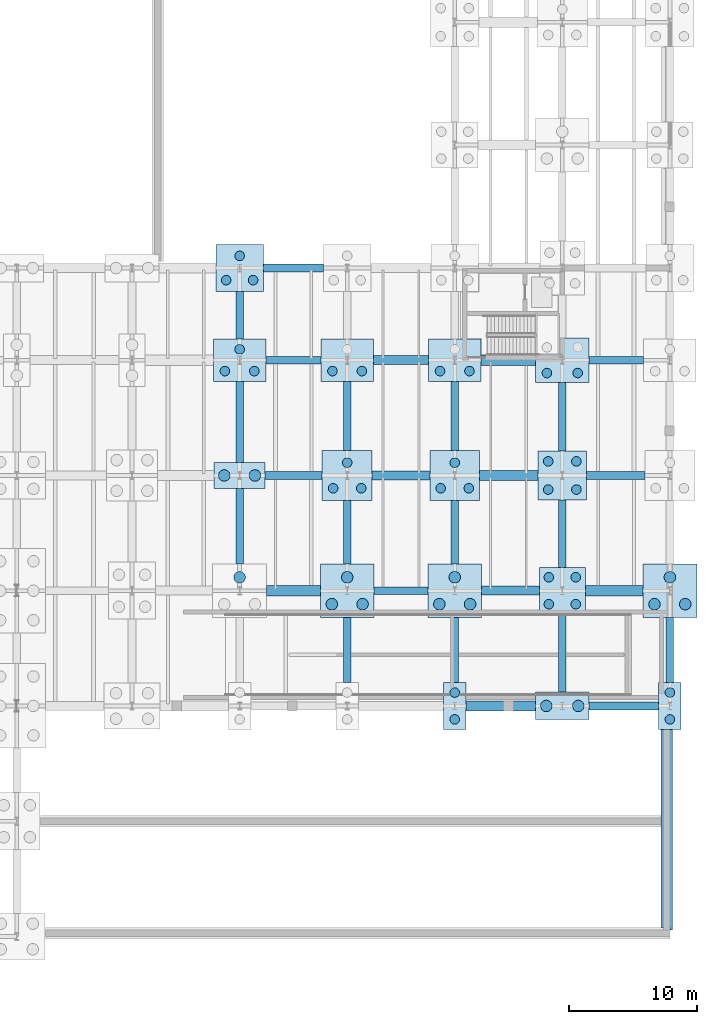
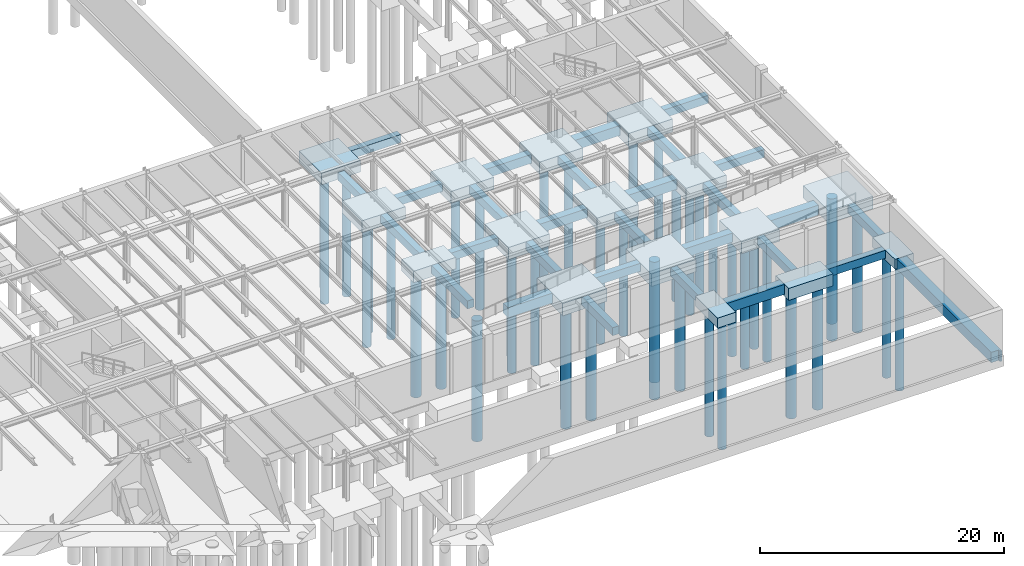
# One storey, part 10 of 59: 45 footings, 44 piles.
"""IFC4 building model written with IfcOpenShell, lengths in metres."""

from ifc_helpers import new_model, si_unit, direction, frame, origin, origin_2d, place, context, subcontext, project, spatial, polyline, rectangle, circle, outline, extrude, material, material_profile, profile_set, type_object, element, save


model = new_model("IFC4")

# Units and contexts
model_context = context("Model", 3, precision=1e-05, world=origin(), true_north=direction((0.0, 1.0)))
body_context = subcontext(model_context, "Body", "Model", "MODEL_VIEW")
ifc_project = project(units=[si_unit("LENGTHUNIT", "METRE"), si_unit("AREAUNIT", "SQUARE_METRE"), si_unit("VOLUMEUNIT", "CUBIC_METRE"), si_unit("PLANEANGLEUNIT", "RADIAN"), si_unit("MASSUNIT", "GRAM", prefix="KILO")], contexts=[model_context])

# Site, building, storey
site_placement = place(None, origin())
site = spatial("IfcSite", under=ifc_project, at=site_placement, CompositionType="ELEMENT")
building_placement = place(site_placement, origin())
building = spatial("IfcBuilding", under=site, at=building_placement, Name="Montealbar Specialist Clinic", CompositionType="ELEMENT")
storey_placement = place(building_placement, frame((0.0, 0.0, -4.800048828125)))
storey = spatial("IfcBuildingStorey", under=building, at=storey_placement, Name="B01", CompositionType="ELEMENT", Elevation=-4.800048828125)

# Footings
ifc_material = material(Name="Concrete C35/45", Category="concrete")
footing_type_1 = type_object("IfcFootingType", Name="FB-TIE-600x800", PredefinedType="FOOTING_BEAM", material=ifc_material)
footing_1_placement = place(storey_placement, frame((0.0, 0.0, -0.800048828125)))
element("IfcFooting", 1, at=footing_1_placement, inside=storey, type_object=footing_type_1, Name="Foundation Ground Beam FBX-1557-1611-180", PredefinedType="FOOTING_BEAM", context=body_context, shape_type="SweptSolid", body=[
    extrude(outline(polyline([(155.699951171875, 17.699951171875), (161.125, 17.699951171875), (161.125, 18.300048828125), (155.699951171875, 18.300048828125), (155.699951171875, 17.699951171875)])), origin(), (0.0, 0.0, 1.0), 0.800048828125),
])
footing_2_placement = place(storey_placement, frame((0.0, 0.0, -1.25)))
element("IfcFooting", 2, at=footing_2_placement, inside=storey, type_object=footing_type_1, Name="Foundation Ground Beam FBX-1389-1431-270", PredefinedType="FOOTING_BEAM", context=body_context, shape_type="SweptSolid", body=[
    extrude(outline(polyline([(138.89990234375, 26.699951171875), (143.10009765625, 26.699951171875), (143.10009765625, 27.300048828125), (138.89990234375, 27.300048828125), (138.89990234375, 26.699951171875)])), origin(), (0.0, 0.0, 1.0), 0.800048828125),
])
footing_3_placement = place(storey_placement, frame((0.0, 0.0, -1.25)))
element("IfcFooting", 3, at=footing_3_placement, inside=storey, type_object=footing_type_1, Name="Foundation Ground Beam FBX-1304-1348-360", PredefinedType="FOOTING_BEAM", context=body_context, shape_type="SweptSolid", body=[
    extrude(outline(polyline([(130.39990234375, 35.699951171875), (134.85009765625, 35.699951171875), (134.85009765625, 36.300048828125), (130.39990234375, 36.300048828125), (130.39990234375, 35.699951171875)])), origin(), (0.0, 0.0, 1.0), 0.800048828125),
])
footing_4_placement = place(storey_placement, frame((0.0, 0.0, -1.25)))
element("IfcFooting", 4, at=footing_4_placement, inside=storey, type_object=footing_type_1, Name="Foundation Ground Beam FBX-1555-1600-360", PredefinedType="FOOTING_BEAM", context=body_context, shape_type="SweptSolid", body=[
    extrude(outline(polyline([(155.5, 35.699951171875), (160.050048828125, 35.699951171875), (160.050048828125, 36.300048828125), (155.5, 36.300048828125), (155.5, 35.699951171875)])), origin(), (0.0, 0.0, 1.0), 0.800048828125),
])
footing_5_placement = place(storey_placement, frame((0.0, 0.0, -1.25)))
element("IfcFooting", 5, at=footing_5_placement, inside=storey, type_object=footing_type_1, Name="Foundation Ground Beam FBX-1304-1348-450", PredefinedType="FOOTING_BEAM", context=body_context, shape_type="SweptSolid", body=[
    extrude(outline(polyline([(130.449951171875, 44.699951171875), (134.75, 44.699951171875), (134.75, 45.300048828125), (130.449951171875, 45.300048828125), (130.449951171875, 44.699951171875)])), origin(), (0.0, 0.0, 1.0), 0.800048828125),
])
footing_6_placement = place(storey_placement, frame((0.0, 0.0, -1.25)))
element("IfcFooting", 6, at=footing_6_placement, inside=storey, type_object=footing_type_1, Name="Foundation Ground Beam FBX-1557-1600-450", PredefinedType="FOOTING_BEAM", context=body_context, shape_type="SweptSolid", body=[
    extrude(outline(polyline([(155.699951171875, 44.699951171875), (159.949951171875, 44.699951171875), (159.949951171875, 45.300048828125), (155.699951171875, 45.300048828125), (155.699951171875, 44.699951171875)])), origin(), (0.0, 0.0, 1.0), 0.800048828125),
])
footing_7_placement = place(storey_placement, frame((0.0, 0.0, -0.800048828125)))
element("IfcFooting", 7, at=footing_7_placement, inside=storey, type_object=footing_type_1, Name="Foundation Ground Beam FBX-1302-1350-522", PredefinedType="FOOTING_BEAM", context=body_context, shape_type="SweptSolid", body=[
    extrude(outline(polyline([(130.25, 51.89990234375), (134.949951171875, 51.89990234375), (134.949951171875, 52.5), (130.25, 52.5), (130.25, 51.89990234375)])), origin(), (0.0, 0.0, 1.0), 0.800048828125),
])
footing_8_placement = place(storey_placement, frame((0.0, 0.0, -1.25)))
element("IfcFooting", 8, at=footing_8_placement, inside=storey, type_object=footing_type_1, Name="Foundation Tie Beam FBY-1284-291-350", PredefinedType="FOOTING_BEAM", context=body_context, shape_type="SweptSolid", body=[
    extrude(outline(polyline([(128.10009765625, 29.10009765625), (128.699951171875, 29.10009765625), (128.699951171875, 35.0), (128.10009765625, 35.0), (128.10009765625, 29.10009765625)])), origin(), (0.0, 0.0, 1.0), 0.800048828125),
])
footing_9_placement = place(storey_placement, frame((0.0, 0.0, -1.25)))
element("IfcFooting", 9, at=footing_9_placement, inside=storey, type_object=footing_type_1, Name="Foundation Tie Beam FBY-1284-370-434", PredefinedType="FOOTING_BEAM", context=body_context, shape_type="SweptSolid", body=[
    extrude(outline(polyline([(128.10009765625, 37.0), (128.699951171875, 37.0), (128.699951171875, 43.35009765625), (128.10009765625, 43.35009765625), (128.10009765625, 37.0)])), origin(), (0.0, 0.0, 1.0), 0.800048828125),
])
footing_10_placement = place(storey_placement, frame((0.0, 0.0, -1.25)))
element("IfcFooting", 10, at=footing_10_placement, inside=storey, type_object=footing_type_1, Name="Foundation Tie Beam FBY-1284-466-504", PredefinedType="FOOTING_BEAM", context=body_context, shape_type="SweptSolid", body=[
    extrude(outline(polyline([(128.10009765625, 46.64990234375), (128.699951171875, 46.64990234375), (128.699951171875, 50.35009765625), (128.10009765625, 50.35009765625), (128.10009765625, 46.64990234375)])), origin(), (0.0, 0.0, 1.0), 0.800048828125),
])
footing_11_placement = place(storey_placement, frame((0.0, 0.0, -1.25)))
element("IfcFooting", 11, at=footing_11_placement, inside=storey, type_object=footing_type_1, Name="Foundation Tie Beam FBY-1368-198-249", PredefinedType="FOOTING_BEAM", context=body_context, shape_type="SweptSolid", body=[
    extrude(outline(polyline([(136.5, 19.824951171875), (137.10009765625, 19.824951171875), (137.10009765625, 24.89990234375), (136.5, 24.89990234375), (136.5, 19.824951171875)])), origin(), (0.0, 0.0, 1.0), 0.800048828125),
])
footing_12_placement = place(storey_placement, frame((0.0, 0.0, -1.25)))
element("IfcFooting", 12, at=footing_12_placement, inside=storey, type_object=footing_type_1, Name="Foundation Tie Beam FBY-1368-291-340", PredefinedType="FOOTING_BEAM", context=body_context, shape_type="SweptSolid", body=[
    extrude(outline(polyline([(136.5, 29.10009765625), (137.10009765625, 29.10009765625), (137.10009765625, 34.050048828125), (136.5, 34.050048828125), (136.5, 29.10009765625)])), origin(), (0.0, 0.0, 1.0), 0.800048828125),
])
footing_13_placement = place(storey_placement, frame((0.0, 0.0, -1.25)))
element("IfcFooting", 13, at=footing_13_placement, inside=storey, type_object=footing_type_1, Name="Foundation Tie Beam FBY-1368-380-434", PredefinedType="FOOTING_BEAM", context=body_context, shape_type="SweptSolid", body=[
    extrude(outline(polyline([(136.5, 37.949951171875), (137.10009765625, 37.949951171875), (137.10009765625, 43.35009765625), (136.5, 43.35009765625), (136.5, 37.949951171875)])), origin(), (0.0, 0.0, 1.0), 0.800048828125),
])
footing_14_placement = place(storey_placement, frame((0.0, 0.0, -1.25)))
element("IfcFooting", 14, at=footing_14_placement, inside=storey, type_object=footing_type_1, Name="Foundation Tie Beam FBY-1452-198-249", PredefinedType="FOOTING_BEAM", context=body_context, shape_type="SweptSolid", body=[
    extrude(outline(polyline([(144.89990234375, 19.824951171875), (145.5, 19.824951171875), (145.5, 24.89990234375), (144.89990234375, 24.89990234375), (144.89990234375, 19.824951171875)])), origin(), (0.0, 0.0, 1.0), 0.800048828125),
])
footing_15_placement = place(storey_placement, frame((0.0, 0.0, -1.25)))
element("IfcFooting", 15, at=footing_15_placement, inside=storey, type_object=footing_type_1, Name="Foundation Tie Beam FBY-1452-291-340", PredefinedType="FOOTING_BEAM", context=body_context, shape_type="SweptSolid", body=[
    extrude(outline(polyline([(144.89990234375, 29.10009765625), (145.5, 29.10009765625), (145.5, 34.050048828125), (144.89990234375, 34.050048828125), (144.89990234375, 29.10009765625)])), origin(), (0.0, 0.0, 1.0), 0.800048828125),
])
footing_16_placement = place(storey_placement, frame((0.0, 0.0, -1.25)))
element("IfcFooting", 16, at=footing_16_placement, inside=storey, type_object=footing_type_1, Name="Foundation Tie Beam FBY-1452-380-434", PredefinedType="FOOTING_BEAM", context=body_context, shape_type="SweptSolid", body=[
    extrude(outline(polyline([(144.89990234375, 37.949951171875), (145.5, 37.949951171875), (145.5, 43.35009765625), (144.89990234375, 43.35009765625), (144.89990234375, 37.949951171875)])), origin(), (0.0, 0.0, 1.0), 0.800048828125),
])
footing_17_placement = place(storey_placement, frame((0.0, 0.0, -1.25)))
element("IfcFooting", 17, at=footing_17_placement, inside=storey, type_object=footing_type_1, Name="Foundation Tie Beam FBY-1536-191-252", PredefinedType="FOOTING_BEAM", context=body_context, shape_type="SweptSolid", body=[
    extrude(outline(polyline([(153.300048828125, 19.074951171875), (153.89990234375, 19.074951171875), (153.89990234375, 25.199951171875), (153.300048828125, 25.199951171875), (153.300048828125, 19.074951171875)])), origin(), (0.0, 0.0, 1.0), 0.800048828125),
])
footing_18_placement = place(storey_placement, frame((0.0, 0.0, -1.25)))
element("IfcFooting", 18, at=footing_18_placement, inside=storey, type_object=footing_type_1, Name="Foundation Tie Beam FBY-1536-288-341", PredefinedType="FOOTING_BEAM", context=body_context, shape_type="SweptSolid", body=[
    extrude(outline(polyline([(153.300048828125, 28.800048828125), (153.89990234375, 28.800048828125), (153.89990234375, 34.10009765625), (153.300048828125, 34.10009765625), (153.300048828125, 28.800048828125)])), origin(), (0.0, 0.0, 1.0), 0.800048828125),
])
footing_19_placement = place(storey_placement, frame((0.0, 0.0, -1.25)))
element("IfcFooting", 19, at=footing_19_placement, inside=storey, type_object=footing_type_1, Name="Foundation Tie Beam FBY-1536-379-432", PredefinedType="FOOTING_BEAM", context=body_context, shape_type="SweptSolid", body=[
    extrude(outline(polyline([(153.300048828125, 37.89990234375), (153.89990234375, 37.89990234375), (153.89990234375, 43.25), (153.300048828125, 43.25), (153.300048828125, 37.89990234375)])), origin(), (0.0, 0.0, 1.0), 0.800048828125),
])
footing_20_placement = place(storey_placement, frame((0.0, 0.0, -0.800048828125)))
element("IfcFooting", 20, at=footing_20_placement, inside=storey, type_object=footing_type_1, Name="Foundation Tie Beam FBY-1620-198-249", PredefinedType="FOOTING_BEAM", context=body_context, shape_type="SweptSolid", body=[
    extrude(outline(polyline([(161.699951171875, 19.824951171875), (162.300048828125, 19.824951171875), (162.300048828125, 24.89990234375), (161.699951171875, 24.89990234375), (161.699951171875, 19.824951171875)])), origin(), (0.0, 0.0, 1.0), 0.800048828125),
])
footing_type_2 = type_object("IfcFootingType", Name="FB-TIE-700x900", PredefinedType="FOOTING_BEAM", material=ifc_material)
footing_21_placement = place(storey_placement, frame((0.0, 0.0, -1.349853515625)))
element("IfcFooting", 21, at=footing_21_placement, inside=storey, type_object=footing_type_2, Name="Foundation Ground Beam FBX-1473-1518-270", PredefinedType="FOOTING_BEAM", context=body_context, shape_type="SweptSolid", body=[
    extrude(outline(polyline([(147.300048828125, 26.64990234375), (151.800048828125, 26.64990234375), (151.800048828125, 27.35009765625), (147.300048828125, 27.35009765625), (147.300048828125, 26.64990234375)])), origin(), (0.0, 0.0, 1.0), 0.89990234375),
])
footing_22_placement = place(storey_placement, frame((0.0, 0.0, -1.349853515625)))
element("IfcFooting", 22, at=footing_22_placement, inside=storey, type_object=footing_type_2, Name="Foundation Ground Beam FBX-1388-1432-360", PredefinedType="FOOTING_BEAM", context=body_context, shape_type="SweptSolid", body=[
    extrude(outline(polyline([(138.75, 35.64990234375), (143.25, 35.64990234375), (143.25, 36.35009765625), (138.75, 36.35009765625), (138.75, 35.64990234375)])), origin(), (0.0, 0.0, 1.0), 0.89990234375),
])
footing_23_placement = place(storey_placement, frame((0.0, 0.0, -1.349853515625)))
element("IfcFooting", 23, at=footing_23_placement, inside=storey, type_object=footing_type_2, Name="Foundation Ground Beam FBX-1388-1432-450", PredefinedType="FOOTING_BEAM", context=body_context, shape_type="SweptSolid", body=[
    extrude(outline(polyline([(138.85009765625, 44.64990234375), (143.14990234375, 44.64990234375), (143.14990234375, 45.35009765625), (138.85009765625, 45.35009765625), (138.85009765625, 44.64990234375)])), origin(), (0.0, 0.0, 1.0), 0.89990234375),
])
footing_type_3 = type_object("IfcFootingType", Name="FB-TIE-800x1000", PredefinedType="FOOTING_BEAM", material=ifc_material)
footing_24_placement = place(storey_placement, frame((0.0, 0.0, -1.0)))
element("IfcFooting", 24, at=footing_24_placement, inside=storey, type_object=footing_type_3, Name="Foundation Ground Beam FBX-1461-1515-180", PredefinedType="FOOTING_BEAM", context=body_context, shape_type="SweptSolid", body=[
    extrude(outline(polyline([(146.074951171875, 17.60009765625), (151.5, 17.60009765625), (151.5, 18.39990234375), (146.074951171875, 18.39990234375), (146.074951171875, 17.60009765625)])), origin(), (0.0, 0.0, 1.0), 1.0),
])
footing_25_placement = place(storey_placement, frame((0.0, 0.0, -1.449951171875)))
element("IfcFooting", 25, at=footing_25_placement, inside=storey, type_object=footing_type_3, Name="Foundation Ground Beam FBX-1305-1347-270", PredefinedType="FOOTING_BEAM", context=body_context, shape_type="SweptSolid", body=[
    extrude(outline(polyline([(130.5, 26.60009765625), (134.699951171875, 26.60009765625), (134.699951171875, 27.39990234375), (130.5, 27.39990234375), (130.5, 26.60009765625)])), origin(), (0.0, 0.0, 1.0), 1.0),
])
footing_26_placement = place(storey_placement, frame((0.0, 0.0, -1.449951171875)))
element("IfcFooting", 26, at=footing_26_placement, inside=storey, type_object=footing_type_3, Name="Foundation Ground Beam FBX-1554-1599-270", PredefinedType="FOOTING_BEAM", context=body_context, shape_type="SweptSolid", body=[
    extrude(outline(polyline([(155.39990234375, 26.60009765625), (159.89990234375, 26.60009765625), (159.89990234375, 27.39990234375), (155.39990234375, 27.39990234375), (155.39990234375, 26.60009765625)])), origin(), (0.0, 0.0, 1.0), 1.0),
])
footing_27_placement = place(storey_placement, frame((0.0, 0.0, -1.449951171875)))
element("IfcFooting", 27, at=footing_27_placement, inside=storey, type_object=footing_type_3, Name="Foundation Ground Beam FBX-1472-1517-360", PredefinedType="FOOTING_BEAM", context=body_context, shape_type="SweptSolid", body=[
    extrude(outline(polyline([(147.14990234375, 35.60009765625), (151.699951171875, 35.60009765625), (151.699951171875, 36.39990234375), (147.14990234375, 36.39990234375), (147.14990234375, 35.60009765625)])), origin(), (0.0, 0.0, 1.0), 1.0),
])
footing_28_placement = place(storey_placement, frame((0.0, 0.0, -1.449951171875)))
element("IfcFooting", 28, at=footing_28_placement, inside=storey, type_object=footing_type_3, Name="Foundation Ground Beam FBX-1472-1515-450", PredefinedType="FOOTING_BEAM", context=body_context, shape_type="SweptSolid", body=[
    extrude(outline(polyline([(147.25, 44.60009765625), (151.5, 44.60009765625), (151.5, 45.39990234375), (147.25, 45.39990234375), (147.25, 44.60009765625)])), origin(), (0.0, 0.0, 1.0), 1.0),
])
footing_type_4 = type_object("IfcFootingType", Name="FT-CORE-STRIP", PredefinedType="STRIP_FOOTING", material=ifc_material)
footing_29_placement = place(storey_placement, frame((0.0, 0.0, -1.050048828125)))
element("IfcFooting", 29, at=footing_29_placement, inside=storey, type_object=footing_type_4, Name="Strip Footing FT-PLINTH-SE-E-1", PredefinedType="STRIP_FOOTING", context=body_context, shape_type="SweptSolid", body=[
    extrude(outline(polyline([(162.0029296875, 0.7099609375), (162.001953125, 0.7099609375), (162.0009765625, 0.7099609375), (162.0, 0.7099609375), (161.300048828125, 0.7099609375), (161.300048828125, 16.14501953125), (162.199951171875, 16.14501953125), (162.199951171875, 0.5), (162.010009765625, 0.5), (162.010009765625, 0.699951171875), (162.010009765625, 0.700927734375), (162.010009765625, 0.701904296875), (162.010009765625, 0.702880859375), (162.009033203125, 0.7041015625), (162.009033203125, 0.705078125), (162.008056640625, 0.7060546875), (162.008056640625, 0.7060546875), (162.007080078125, 0.70703125), (162.006103515625, 0.7080078125), (162.006103515625, 0.7080078125), (162.0048828125, 0.708984375), (162.00390625, 0.708984375), (162.0029296875, 0.7099609375)])), origin(), (0.0, 0.0, 1.0), 1.050048828125),
])
footing_type_5 = type_object("IfcFootingType", Name="PC-2D", PredefinedType="PILE_CAP", material=ifc_material)
for number, where, z_axis, x_axis, name in (
    (30, (145.199951171875, 18.0, -1.0), (0.0, 0.0, 1.0), (1.0, 0.0, 0.0), "Pile Cap 19/C"),
    (31, (162.0, 18.0, -1.0), (0.0, 0.0, 1.0), (1.0, 0.0, 0.0), "Pile Cap 21/C"),
):
    element("IfcFooting", number, at=place(storey_placement, frame(where, z_axis=z_axis, x_axis=x_axis)), inside=storey, type_object=footing_type_5, Name=name, PredefinedType="PILE_CAP", context=body_context, shape_type="SweptSolid", body=[
        extrude(rectangle(XDim=1.75, YDim=3.64990234375, at=origin_2d()), origin(), (0.0, 0.0, 1.0), 1.0),
    ])
footing_type_6 = type_object("IfcFootingType", Name="PC-2F", PredefinedType="PILE_CAP", material=ifc_material)
footing_30_placement = place(storey_placement, frame((128.39990234375, 36.0, -1.599853515625), z_axis=(0.0, 0.0, 1.0), x_axis=(1.0, 0.0, 0.0)))
element("IfcFooting", 32, at=footing_30_placement, inside=storey, type_object=footing_type_6, Name="Pile Cap 17/E", PredefinedType="PILE_CAP", context=body_context, shape_type="SweptSolid", body=[
    extrude(rectangle(XDim=4.0, YDim=2.0, at=origin_2d()), origin(), (0.0, 0.0, 1.0), 1.14990234375),
])
footing_type_7 = type_object("IfcFootingType", Name="PC-2H", PredefinedType="PILE_CAP", material=ifc_material)
footing_31_placement = place(storey_placement, frame((153.60009765625, 18.0, -1.19970703125), z_axis=(0.0, 0.0, 1.0), x_axis=(1.0, 0.0, 0.0)))
element("IfcFooting", 33, at=footing_31_placement, inside=storey, type_object=footing_type_7, Name="Pile Cap 20/C", PredefinedType="PILE_CAP", context=body_context, shape_type="SweptSolid", body=[
    extrude(rectangle(XDim=4.199951171875, YDim=2.14990234375, at=origin_2d()), origin(), (0.0, 0.0, 1.0), 1.199951171875),
])
footing_type_8 = type_object("IfcFootingType", Name="PC-3A", PredefinedType="PILE_CAP", material=ifc_material)
footing_32_placement = place(storey_placement, frame((128.39990234375, 52.199951171875, -1.14990234375), z_axis=(0.0, 0.0, 1.0), x_axis=(1.0, 0.0, 0.0)))
element("IfcFooting", 34, at=footing_32_placement, inside=storey, type_object=footing_type_8, Name="Pile Cap 17/G", PredefinedType="PILE_CAP", context=body_context, shape_type="SweptSolid", body=[
    extrude(rectangle(XDim=3.699951171875, YDim=3.699951171875, at=origin_2d()), origin(), (0.0, 0.0, 1.0), 1.14990234375),
])
footing_type_9 = type_object("IfcFootingType", Name="PC-3B", PredefinedType="PILE_CAP", material=ifc_material)
for number, where, z_axis, x_axis, name in (
    (35, (136.800048828125, 36.0, -1.64990234375), (0.0, 0.0, 1.0), (1.0, 0.0, 0.0), "Pile Cap 18/E"),
    (36, (145.199951171875, 36.0, -1.64990234375), (0.0, 0.0, 1.0), (1.0, 0.0, 0.0), "Pile Cap 19/E"),
):
    element("IfcFooting", number, at=place(storey_placement, frame(where, z_axis=z_axis, x_axis=x_axis)), inside=storey, type_object=footing_type_9, Name=name, PredefinedType="PILE_CAP", context=body_context, shape_type="SweptSolid", body=[
        extrude(rectangle(XDim=3.89990234375, YDim=3.89990234375, at=origin_2d()), origin(), (0.0, 0.0, 1.0), 1.199951171875),
    ])
footing_type_10 = type_object("IfcFootingType", Name="PC-3C", PredefinedType="PILE_CAP", material=ifc_material)
for number, where, z_axis, x_axis, name in (
    (37, (128.39990234375, 45.0, -1.64990234375), (0.0, 0.0, 1.0), (1.0, 0.0, 0.0), "Pile Cap 17/F"),
    (38, (136.800048828125, 45.0, -1.64990234375), (0.0, 0.0, 1.0), (1.0, 0.0, 0.0), "Pile Cap 18/F"),
    (39, (145.199951171875, 45.0, -1.64990234375), (0.0, 0.0, 1.0), (1.0, 0.0, 0.0), "Pile Cap 19/F"),
):
    element("IfcFooting", number, at=place(storey_placement, frame(where, z_axis=z_axis, x_axis=x_axis)), inside=storey, type_object=footing_type_10, Name=name, PredefinedType="PILE_CAP", context=body_context, shape_type="SweptSolid", body=[
        extrude(rectangle(XDim=4.10009765625, YDim=3.300048828125, at=origin_2d()), origin(), (0.0, 0.0, 1.0), 1.199951171875),
    ])
footing_type_11 = type_object("IfcFootingType", Name="PC-3D", PredefinedType="PILE_CAP", material=ifc_material)
for number, where, z_axis, x_axis, name in (
    (40, (136.800048828125, 27.0, -1.699951171875), (0.0, 0.0, 1.0), (1.0, 0.0, 0.0), "Pile Cap 18/D"),
    (41, (145.199951171875, 27.0, -1.699951171875), (0.0, 0.0, 1.0), (1.0, 0.0, 0.0), "Pile Cap 19/D"),
    (42, (162.0, 27.0, -1.25), (0.0, 0.0, 1.0), (1.0, 0.0, 0.0), "Pile Cap 21/D"),
):
    element("IfcFooting", number, at=place(storey_placement, frame(where, z_axis=z_axis, x_axis=x_axis)), inside=storey, type_object=footing_type_11, Name=name, PredefinedType="PILE_CAP", context=body_context, shape_type="SweptSolid", body=[
        extrude(rectangle(XDim=4.199951171875, YDim=4.199951171875, at=origin_2d()), origin(), (0.0, 0.0, 1.0), 1.25),
    ])
footing_type_12 = type_object("IfcFootingType", Name="PC-4A", PredefinedType="PILE_CAP", material=ifc_material)
footing_33_placement = place(storey_placement, frame((153.60009765625, 27.0, -1.64990234375), z_axis=(0.0, 0.0, 1.0), x_axis=(1.0, 0.0, 0.0)))
element("IfcFooting", 43, at=footing_33_placement, inside=storey, type_object=footing_type_12, Name="Pile Cap 20/D", PredefinedType="PILE_CAP", context=body_context, shape_type="SweptSolid", body=[
    extrude(rectangle(XDim=3.60009765625, YDim=3.60009765625, at=origin_2d()), origin(), (0.0, 0.0, 1.0), 1.199951171875),
])
footing_type_13 = type_object("IfcFootingType", Name="PC-4B", PredefinedType="PILE_CAP", material=ifc_material)
footing_34_placement = place(storey_placement, frame((153.60009765625, 36.0, -1.699951171875), z_axis=(0.0, 0.0, 1.0), x_axis=(1.0, 0.0, 0.0)))
element("IfcFooting", 44, at=footing_34_placement, inside=storey, type_object=footing_type_13, Name="Pile Cap 20/E", PredefinedType="PILE_CAP", context=body_context, shape_type="SweptSolid", body=[
    extrude(rectangle(XDim=3.800048828125, YDim=3.800048828125, at=origin_2d()), origin(), (0.0, 0.0, 1.0), 1.25),
])
footing_type_14 = type_object("IfcFootingType", Name="PC-4D", PredefinedType="PILE_CAP", material=ifc_material)
footing_35_placement = place(storey_placement, frame((153.60009765625, 45.0, -1.75), z_axis=(0.0, 0.0, 1.0), x_axis=(1.0, 0.0, 0.0)))
element("IfcFooting", 45, at=footing_35_placement, inside=storey, type_object=footing_type_14, Name="Pile Cap 20/F", PredefinedType="PILE_CAP", context=body_context, shape_type="SweptSolid", body=[
    extrude(rectangle(XDim=4.199951171875, YDim=3.5, at=origin_2d()), origin(), (0.0, 0.0, 1.0), 1.300048828125),
])

# Piles
ifc_material_profile_1 = material_profile(ifc_material, circle(Radius=0.375, at=origin_2d()), Name="PILE D750", Category="concrete")
ifc_profile_set_1 = profile_set([ifc_material_profile_1], Name="Concrete C35/45")
pile_type_1 = type_object("IfcPileType", Name="PILE-D750", PredefinedType="BORED", material=ifc_profile_set_1)
for number, where, z_axis, x_axis, name in (
    (46, (127.25, 44.14990234375, -1.550048828125), (0.0, 0.0, -1.0), (1.0, 0.0, 0.0), "Bored Pile 17/F-P1"),
    (47, (129.550048828125, 44.14990234375, -1.550048828125), (0.0, 0.0, -1.0), (1.0, 0.0, 0.0), "Bored Pile 17/F-P2"),
    (48, (128.39990234375, 45.85009765625, -1.550048828125), (0.0, 0.0, -1.0), (1.0, 0.0, 0.0), "Bored Pile 17/F-P3"),
):
    element("IfcPile", number, at=place(storey_placement, frame(where, z_axis=z_axis, x_axis=x_axis)), inside=storey, type_object=pile_type_1, Name=name, PredefinedType="BORED", context=body_context, shape_type="SweptSolid", body=[
        extrude(circle(Radius=0.375, at=origin_2d()), origin(), (0.0, 0.0, 1.0), 12.14990234375),
    ])
for number, where, z_axis, x_axis, name in (
    (49, (127.35009765625, 51.25, -1.050048828125), (0.0, 0.0, -1.0), (1.0, 0.0, 0.0), "Bored Pile 17/G-P1"),
    (50, (129.449951171875, 51.25, -1.050048828125), (0.0, 0.0, -1.0), (1.0, 0.0, 0.0), "Bored Pile 17/G-P2"),
    (51, (128.39990234375, 53.14990234375, -1.050048828125), (0.0, 0.0, -1.0), (1.0, 0.0, 0.0), "Bored Pile 17/G-P3"),
):
    element("IfcPile", number, at=place(storey_placement, frame(where, z_axis=z_axis, x_axis=x_axis)), inside=storey, type_object=pile_type_1, Name=name, PredefinedType="BORED", context=body_context, shape_type="SweptSolid", body=[
        extrude(circle(Radius=0.375, at=origin_2d()), origin(), (0.0, 0.0, 1.0), 12.64990234375),
    ])
for number, where, z_axis, x_axis, name in (
    (52, (135.699951171875, 35.0, -1.550048828125), (0.0, 0.0, -1.0), (1.0, 0.0, 0.0), "Bored Pile 18/E-P1"),
    (53, (137.89990234375, 35.0, -1.550048828125), (0.0, 0.0, -1.0), (1.0, 0.0, 0.0), "Bored Pile 18/E-P2"),
    (54, (136.800048828125, 37.0, -1.550048828125), (0.0, 0.0, -1.0), (1.0, 0.0, 0.0), "Bored Pile 18/E-P3"),
    (55, (135.64990234375, 44.14990234375, -1.550048828125), (0.0, 0.0, -1.0), (1.0, 0.0, 0.0), "Bored Pile 18/F-P1"),
    (56, (137.949951171875, 44.14990234375, -1.550048828125), (0.0, 0.0, -1.0), (1.0, 0.0, 0.0), "Bored Pile 18/F-P2"),
):
    element("IfcPile", number, at=place(storey_placement, frame(where, z_axis=z_axis, x_axis=x_axis)), inside=storey, type_object=pile_type_1, Name=name, PredefinedType="BORED", context=body_context, shape_type="SweptSolid", body=[
        extrude(circle(Radius=0.375, at=origin_2d()), origin(), (0.0, 0.0, 1.0), 12.14990234375),
    ])
for number, where, z_axis, x_axis, name in (
    (57, (145.199951171875, 16.949951171875, -0.89990234375), (0.0, 0.0, -1.0), (1.0, 0.0, 0.0), "Bored Pile 19/C-P1"),
    (58, (145.199951171875, 19.050048828125, -0.89990234375), (0.0, 0.0, -1.0), (1.0, 0.0, 0.0), "Bored Pile 19/C-P2"),
):
    element("IfcPile", number, at=place(storey_placement, frame(where, z_axis=z_axis, x_axis=x_axis)), inside=storey, type_object=pile_type_1, Name=name, PredefinedType="BORED", context=body_context, shape_type="SweptSolid", body=[
        extrude(circle(Radius=0.375, at=origin_2d()), origin(), (0.0, 0.0, 1.0), 12.800048828125),
    ])
for number, where, z_axis, x_axis, name in (
    (59, (144.10009765625, 35.0, -1.550048828125), (0.0, 0.0, -1.0), (1.0, 0.0, 0.0), "Bored Pile 19/E-P1"),
    (60, (146.300048828125, 35.0, -1.550048828125), (0.0, 0.0, -1.0), (1.0, 0.0, 0.0), "Bored Pile 19/E-P2"),
    (61, (145.199951171875, 37.0, -1.550048828125), (0.0, 0.0, -1.0), (1.0, 0.0, 0.0), "Bored Pile 19/E-P3"),
    (62, (144.050048828125, 44.14990234375, -1.550048828125), (0.0, 0.0, -1.0), (1.0, 0.0, 0.0), "Bored Pile 19/F-P1"),
    (63, (146.35009765625, 44.14990234375, -1.550048828125), (0.0, 0.0, -1.0), (1.0, 0.0, 0.0), "Bored Pile 19/F-P2"),
    (64, (152.550048828125, 25.949951171875, -1.550048828125), (0.0, 0.0, -1.0), (1.0, 0.0, 0.0), "Bored Pile 20/D-P1"),
    (65, (154.64990234375, 25.949951171875, -1.550048828125), (0.0, 0.0, -1.0), (1.0, 0.0, 0.0), "Bored Pile 20/D-P2"),
    (66, (152.550048828125, 28.050048828125, -1.550048828125), (0.0, 0.0, -1.0), (1.0, 0.0, 0.0), "Bored Pile 20/D-P3"),
    (67, (154.64990234375, 28.050048828125, -1.550048828125), (0.0, 0.0, -1.0), (1.0, 0.0, 0.0), "Bored Pile 20/D-P4"),
):
    element("IfcPile", number, at=place(storey_placement, frame(where, z_axis=z_axis, x_axis=x_axis)), inside=storey, type_object=pile_type_1, Name=name, PredefinedType="BORED", context=body_context, shape_type="SweptSolid", body=[
        extrude(circle(Radius=0.375, at=origin_2d()), origin(), (0.0, 0.0, 1.0), 12.14990234375),
    ])
for number, where, z_axis, x_axis, name in (
    (68, (152.5, 34.89990234375, -1.599853515625), (0.0, 0.0, -1.0), (1.0, 0.0, 0.0), "Bored Pile 20/E-P1"),
    (69, (154.699951171875, 34.89990234375, -1.599853515625), (0.0, 0.0, -1.0), (1.0, 0.0, 0.0), "Bored Pile 20/E-P2"),
    (70, (152.5, 37.10009765625, -1.599853515625), (0.0, 0.0, -1.0), (1.0, 0.0, 0.0), "Bored Pile 20/E-P3"),
    (71, (154.699951171875, 37.10009765625, -1.599853515625), (0.0, 0.0, -1.0), (1.0, 0.0, 0.0), "Bored Pile 20/E-P4"),
):
    element("IfcPile", number, at=place(storey_placement, frame(where, z_axis=z_axis, x_axis=x_axis)), inside=storey, type_object=pile_type_1, Name=name, PredefinedType="BORED", context=body_context, shape_type="SweptSolid", body=[
        extrude(circle(Radius=0.375, at=origin_2d()), origin(), (0.0, 0.0, 1.0), 12.10009765625),
    ])
for number, where, z_axis, x_axis, name in (
    (72, (152.39990234375, 44.0, -1.64990234375), (0.0, 0.0, -1.0), (1.0, 0.0, 0.0), "Bored Pile 20/F-P1"),
    (73, (154.800048828125, 44.0, -1.64990234375), (0.0, 0.0, -1.0), (1.0, 0.0, 0.0), "Bored Pile 20/F-P2"),
):
    element("IfcPile", number, at=place(storey_placement, frame(where, z_axis=z_axis, x_axis=x_axis)), inside=storey, type_object=pile_type_1, Name=name, PredefinedType="BORED", context=body_context, shape_type="SweptSolid", body=[
        extrude(circle(Radius=0.375, at=origin_2d()), origin(), (0.0, 0.0, 1.0), 12.050048828125),
    ])
for number, where, z_axis, x_axis, name in (
    (74, (162.0, 16.949951171875, -0.89990234375), (0.0, 0.0, -1.0), (1.0, 0.0, 0.0), "Bored Pile 21/C-P1"),
    (75, (162.0, 19.050048828125, -0.89990234375), (0.0, 0.0, -1.0), (1.0, 0.0, 0.0), "Bored Pile 21/C-P2"),
):
    element("IfcPile", number, at=place(storey_placement, frame(where, z_axis=z_axis, x_axis=x_axis)), inside=storey, type_object=pile_type_1, Name=name, PredefinedType="BORED", context=body_context, shape_type="SweptSolid", body=[
        extrude(circle(Radius=0.375, at=origin_2d()), origin(), (0.0, 0.0, 1.0), 12.800048828125),
    ])
ifc_material_profile_2 = material_profile(ifc_material, circle(Radius=0.449951171875, at=origin_2d()), Name="PILE D900", Category="concrete")
ifc_profile_set_2 = profile_set([ifc_material_profile_2], Name="Concrete C35/45")
pile_type_2 = type_object("IfcPileType", Name="PILE-D900", PredefinedType="BORED", material=ifc_profile_set_2)
pile_placement = place(storey_placement, frame((128.39990234375, 28.050048828125, -1.599853515625), z_axis=(0.0, 0.0, -1.0), x_axis=(1.0, 0.0, 0.0)))
element("IfcPile", 76, at=pile_placement, inside=storey, type_object=pile_type_2, Name="Bored Pile 17/D-P3", PredefinedType="BORED", context=body_context, shape_type="SweptSolid", body=[
    extrude(circle(Radius=0.449951171875, at=origin_2d()), origin(), (0.0, 0.0, 1.0), 12.10009765625),
])
for number, where, z_axis, x_axis, name in (
    (77, (127.199951171875, 36.0, -1.5), (0.0, 0.0, -1.0), (1.0, 0.0, 0.0), "Bored Pile 17/E-P1"),
    (78, (129.60009765625, 36.0, -1.5), (0.0, 0.0, -1.0), (1.0, 0.0, 0.0), "Bored Pile 17/E-P2"),
):
    element("IfcPile", number, at=place(storey_placement, frame(where, z_axis=z_axis, x_axis=x_axis)), inside=storey, type_object=pile_type_2, Name=name, PredefinedType="BORED", context=body_context, shape_type="SweptSolid", body=[
        extrude(circle(Radius=0.449951171875, at=origin_2d()), origin(), (0.0, 0.0, 1.0), 12.199951171875),
    ])
for number, where, z_axis, x_axis, name in (
    (79, (135.60009765625, 25.949951171875, -1.599853515625), (0.0, 0.0, -1.0), (1.0, 0.0, 0.0), "Bored Pile 18/D-P1"),
    (80, (138.0, 25.949951171875, -1.599853515625), (0.0, 0.0, -1.0), (1.0, 0.0, 0.0), "Bored Pile 18/D-P2"),
    (81, (136.800048828125, 28.050048828125, -1.599853515625), (0.0, 0.0, -1.0), (1.0, 0.0, 0.0), "Bored Pile 18/D-P3"),
    (82, (144.0, 25.949951171875, -1.599853515625), (0.0, 0.0, -1.0), (1.0, 0.0, 0.0), "Bored Pile 19/D-P1"),
    (83, (146.39990234375, 25.949951171875, -1.599853515625), (0.0, 0.0, -1.0), (1.0, 0.0, 0.0), "Bored Pile 19/D-P2"),
    (84, (145.199951171875, 28.050048828125, -1.599853515625), (0.0, 0.0, -1.0), (1.0, 0.0, 0.0), "Bored Pile 19/D-P3"),
):
    element("IfcPile", number, at=place(storey_placement, frame(where, z_axis=z_axis, x_axis=x_axis)), inside=storey, type_object=pile_type_2, Name=name, PredefinedType="BORED", context=body_context, shape_type="SweptSolid", body=[
        extrude(circle(Radius=0.449951171875, at=origin_2d()), origin(), (0.0, 0.0, 1.0), 12.10009765625),
    ])
for number, where, z_axis, x_axis, name in (
    (85, (152.35009765625, 18.0, -1.099853515625), (0.0, 0.0, -1.0), (1.0, 0.0, 0.0), "Bored Pile 20/C-P1"),
    (86, (154.85009765625, 18.0, -1.099853515625), (0.0, 0.0, -1.0), (1.0, 0.0, 0.0), "Bored Pile 20/C-P2"),
):
    element("IfcPile", number, at=place(storey_placement, frame(where, z_axis=z_axis, x_axis=x_axis)), inside=storey, type_object=pile_type_2, Name=name, PredefinedType="BORED", context=body_context, shape_type="SweptSolid", body=[
        extrude(circle(Radius=0.449951171875, at=origin_2d()), origin(), (0.0, 0.0, 1.0), 12.60009765625),
    ])
for number, where, z_axis, x_axis, name in (
    (87, (160.800048828125, 25.949951171875, -1.14990234375), (0.0, 0.0, -1.0), (1.0, 0.0, 0.0), "Bored Pile 21/D-P1"),
    (88, (163.199951171875, 25.949951171875, -1.14990234375), (0.0, 0.0, -1.0), (1.0, 0.0, 0.0), "Bored Pile 21/D-P2"),
    (89, (162.0, 28.050048828125, -1.14990234375), (0.0, 0.0, -1.0), (1.0, 0.0, 0.0), "Bored Pile 21/D-P3"),
):
    element("IfcPile", number, at=place(storey_placement, frame(where, z_axis=z_axis, x_axis=x_axis)), inside=storey, type_object=pile_type_2, Name=name, PredefinedType="BORED", context=body_context, shape_type="SweptSolid", body=[
        extrude(circle(Radius=0.449951171875, at=origin_2d()), origin(), (0.0, 0.0, 1.0), 12.550048828125),
    ])

save(model, "model.ifc")
